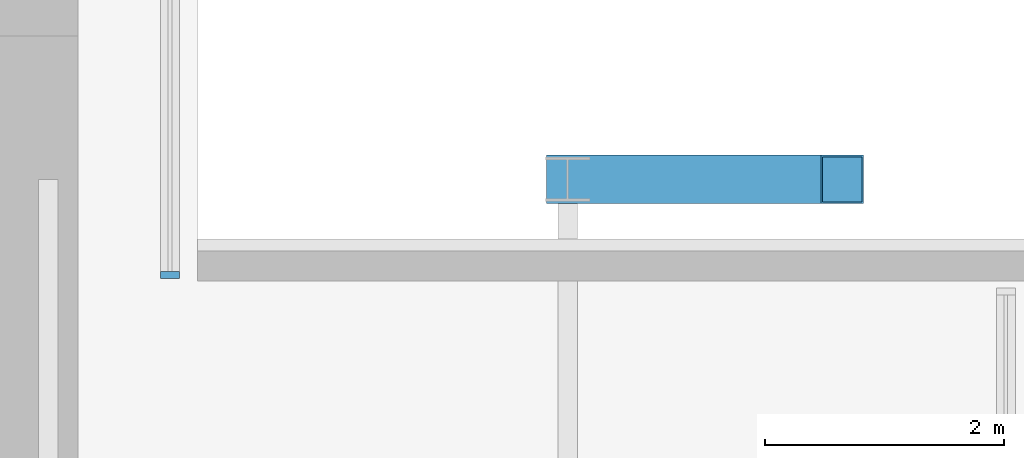
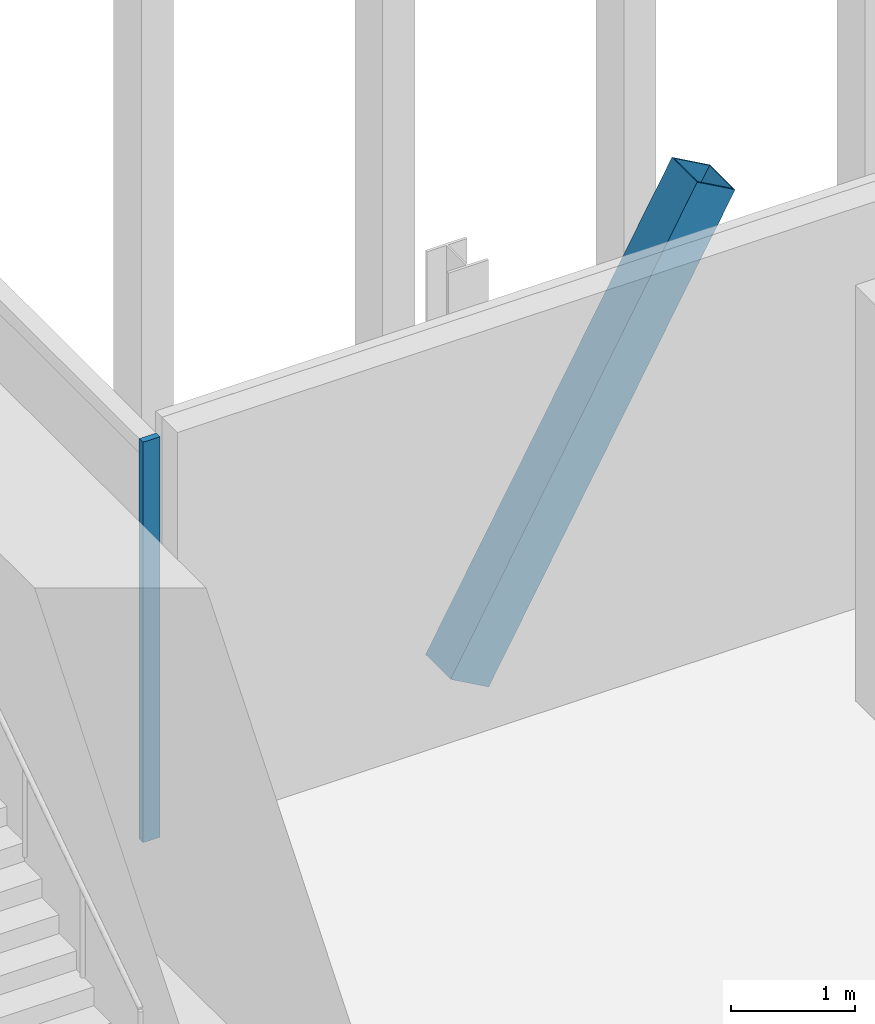
# One storey, part 13 of 29: 2 members, 1 element without a shape of its own.
"""IFC4 building model written with IfcOpenShell, lengths in metres."""

from ifc_helpers import new_model, si_unit, direction, frame, origin, origin_2d, place, context, subcontext, project, spatial, rectangle, hollow_rectangle, extrude, material, material_profile, profile_set, type_object, element, aggregate, save


model = new_model("IFC4")

# Units and contexts
model_context = context("Model", 3, precision=1e-05, world=origin(), true_north=direction((0.0, 1.0)))
body_context = subcontext(model_context, "Body", "Model", "MODEL_VIEW")
ifc_project = project(units=[si_unit("LENGTHUNIT", "METRE"), si_unit("AREAUNIT", "SQUARE_METRE"), si_unit("VOLUMEUNIT", "CUBIC_METRE"), si_unit("PLANEANGLEUNIT", "RADIAN"), si_unit("MASSUNIT", "GRAM", prefix="KILO")], contexts=[model_context])

# Site, building, storey
site_placement = place(None, origin())
site = spatial("IfcSite", under=ifc_project, at=site_placement, CompositionType="ELEMENT")
building_placement = place(site_placement, origin())
building = spatial("IfcBuilding", under=site, at=building_placement, Name="Bicima Exchange Tower", CompositionType="ELEMENT")
storey_placement = place(building_placement, frame((0.0, 0.0, 190.89990234375)))
storey = spatial("IfcBuildingStorey", under=building, at=storey_placement, Name="L42", CompositionType="ELEMENT", Elevation=190.89990234375)

# Curtain wall, member
ifc_material_1 = material(Name="Anodised bronze aluminium", Category="aluminium")
curtain_wall_type = type_object("IfcCurtainWallType", Name="Front glass wall", PredefinedType="NOTDEFINED", material=ifc_material_1)
curtain_wall_placement = place(storey_placement, origin())
curtain_wall = element("IfcCurtainWall", 1, at=curtain_wall_placement, inside=storey, type_object=curtain_wall_type, Name="Front glass wall L42 run 3", PredefinedType="NOTDEFINED")
ifc_material_profile_1 = material_profile(ifc_material_1, rectangle(XDim=0.159912109375, YDim=0.06005859375, at=origin_2d()))
ifc_profile_set_1 = profile_set([ifc_material_profile_1], Name="Anodised bronze aluminium")
member_type_1 = type_object("IfcMemberType", Name="Front glass wall mullion 60 x 160", PredefinedType="MULLION", material=ifc_profile_set_1)
member_1_placement = place(storey_placement, frame((22.77001953125, -3.199951171875, 0.0), z_axis=(0.0, 0.0, 1.0), x_axis=(-1.0, 0.0, 0.0)))
member_1 = element("IfcMember", 2, at=member_1_placement, type_object=member_type_1, Name="Front glass wall mullion 1", PredefinedType="MULLION", context=body_context, shape_type="SweptSolid", body=[
    extrude(rectangle(XDim=0.159912109375, YDim=0.06005859375, at=origin_2d()), origin(), (0.0, 0.0, 1.0), 3.9501953125),
])
aggregate(curtain_wall, [member_1])

# Member
ifc_material_2 = material(Name="Steel ASTM A572 Gr 50", Category="steel")
ifc_material_profile_2 = material_profile(ifc_material_2, hollow_rectangle(XDim=0.406494140625, YDim=0.406494140625, WallThickness=0.0146484375, at=origin_2d()))
ifc_profile_set_2 = profile_set([ifc_material_profile_2], Name="Steel ASTM A572 Gr 50")
member_type_2 = type_object("IfcMemberType", Name="Mega brace HSS16x16x5/8", PredefinedType="BRACE", material=ifc_profile_set_2)
member_2_placement = place(storey_placement, frame((26.10009765625, -2.39990234375, 0.0), z_axis=(0.489210508179, 0.0, 0.872165740377), x_axis=(0.0, 1.0, 0.0)))
element("IfcMember", 3, at=member_2_placement, inside=storey, type_object=member_type_2, Name="Mega brace rear", PredefinedType="BRACE", context=body_context, shape_type="SweptSolid", body=[
    extrude(hollow_rectangle(XDim=0.406494140625, YDim=0.406494140625, WallThickness=0.0146484375, at=origin_2d()), origin(), (0.0, 0.0, 1.0), 4.701171875),
])

save(model, "model.ifc")
